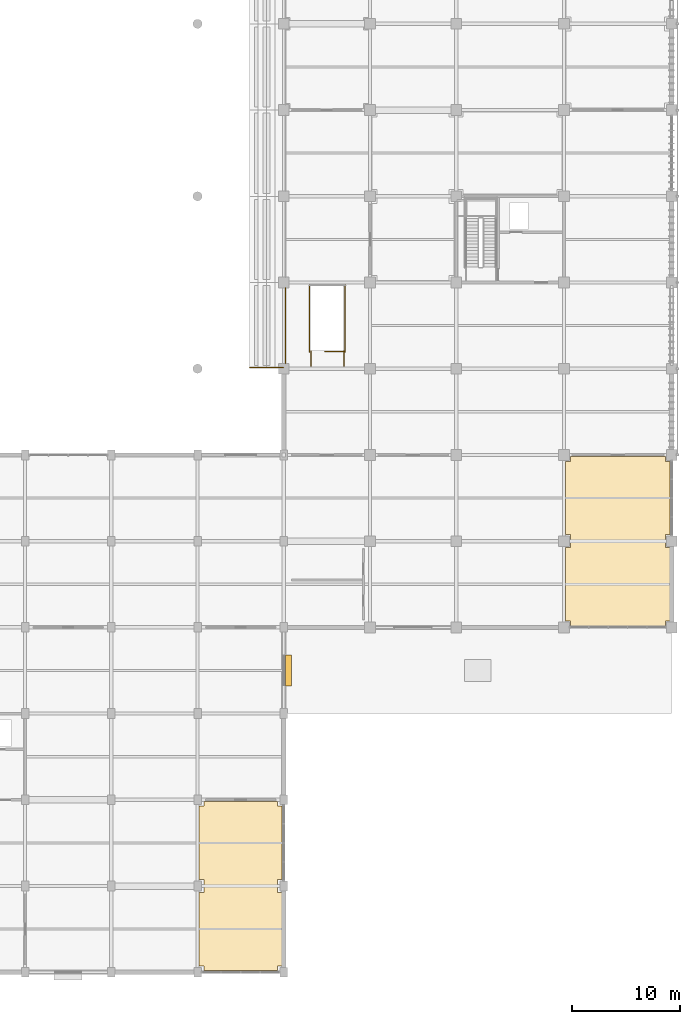
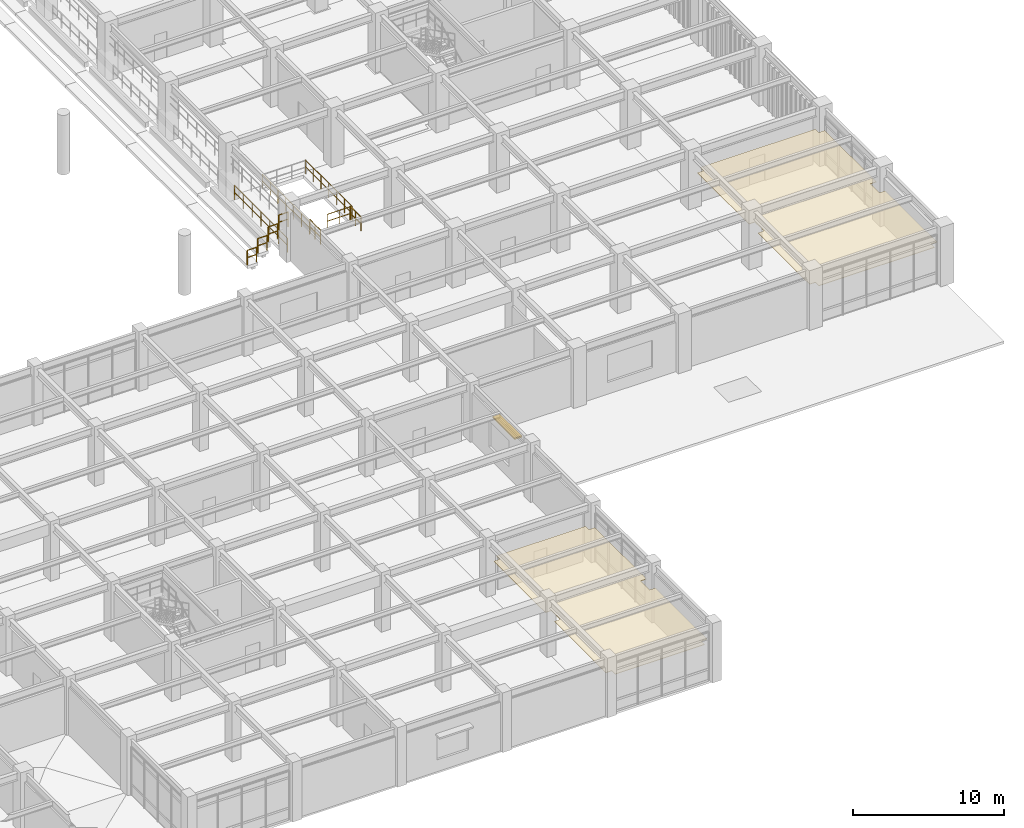
# One storey, part 107 of 117: 10 railings, 2 coverings, 1 shading device.
"""IFC4 building model written with IfcOpenShell, lengths in metres."""

import ifcopenshell
import ifcopenshell.guid

model = None  # the IFC model being written
_history = None  # IfcOwnerHistory: only IFC2X3 demands one
_inside = {}  # id of a spatial element -> (the spatial element, [elements in it])
_under = {}  # id of a project, library or spatial element -> (it, [spatial elements below it])
_declared = {}  # id of a project -> (the project, [libraries it declares])
_typed = {}  # id of a type object -> (the type object, [elements of that type])
_made_of = {}  # id of a material, layer set ... -> (it, [elements and type objects made of it])


def new_model(schema):
    """Start an empty IFC model of exactly this schema.

    Asked for "IFC4X3", IfcOpenShell would pick the latest addendum, in which some entities
    have other attributes; the version numbers below select the first issue.
    IFC2X3 requires an IfcOwnerHistory on every rooted entity: one is made here for all.
    """
    global model, _history
    if schema == "IFC4X3":
        model = ifcopenshell.file(schema_version=(4, 3, 0, 0))
    else:
        model = ifcopenshell.file(schema=schema)
    _inside.clear()
    _under.clear()
    _declared.clear()
    _typed.clear()
    _made_of.clear()
    _history = None
    if model.schema == "IFC2X3":
        org = make("IfcOrganization", Name="unknown")
        user = make(
            "IfcPersonAndOrganization",
            ThePerson=make("IfcPerson", FamilyName="unknown"),
            TheOrganization=org,
        )
        app = make(
            "IfcApplication",
            ApplicationDeveloper=org,
            Version="unknown",
            ApplicationFullName="unknown",
            ApplicationIdentifier="unknown",
        )
        _history = make(
            "IfcOwnerHistory",
            OwningUser=user,
            OwningApplication=app,
            ChangeAction="ADDED",
            CreationDate=0,
        )
    return model


def make(cls, **values):
    """One entity of the class cls with the attributes given. An attribute that is None is left unset."""
    return model.create_entity(
        cls, **{name: value for name, value in values.items() if value is not None}
    )


def rooted(cls, **values):
    """An entity with a GlobalId (a new one), such as an element, a storey or a relation."""
    return make(cls, GlobalId=ifcopenshell.guid.new(), OwnerHistory=_history, **values)


def si_unit(unit_type, name, prefix=None):
    """IfcSIUnit, for example si_unit("LENGTHUNIT", "METRE", prefix="MILLI")."""
    return make("IfcSIUnit", UnitType=unit_type, Prefix=prefix, Name=name)


def assignment(units):
    """IfcUnitAssignment: the units of a project."""
    return None if units is None else make("IfcUnitAssignment", Units=units)


def point(xyz):
    """IfcCartesianPoint."""
    return None if xyz is None else make("IfcCartesianPoint", Coordinates=xyz)


def direction(xyz):
    """IfcDirection."""
    return None if xyz is None else make("IfcDirection", DirectionRatios=xyz)


def frame(location, z_axis=None, x_axis=None):
    """IfcAxis2Placement3D, a coordinate frame: its origin and axes. An axis left out is left unset."""
    return make(
        "IfcAxis2Placement3D",
        Location=point(location),
        Axis=direction(z_axis),
        RefDirection=direction(x_axis),
    )


def frame_2d(location, x_axis=None):
    """IfcAxis2Placement2D, a coordinate frame in the plane: its origin and x axis."""
    return make(
        "IfcAxis2Placement2D", Location=point(location), RefDirection=direction(x_axis)
    )


def origin():
    """The frame at (0, 0, 0) with its axes left unset."""
    return frame((0.0, 0.0, 0.0))


def origin_2d():
    """The frame at (0, 0) in the plane with its x axis left unset."""
    return frame_2d((0.0, 0.0))


def place(relative_to, where):
    """IfcLocalPlacement: puts the frame where relative to a parent placement (None: the world)."""
    return make(
        "IfcLocalPlacement", PlacementRelTo=relative_to, RelativePlacement=where
    )


def context(
    kind, dimensions, precision=None, world=None, true_north=None, identifier=None
):
    """IfcGeometricRepresentationContext, for example the 3D "Model" context."""
    return make(
        "IfcGeometricRepresentationContext",
        ContextIdentifier=identifier,
        ContextType=kind,
        CoordinateSpaceDimension=dimensions,
        Precision=precision,
        WorldCoordinateSystem=world,
        TrueNorth=true_north,
    )


def subcontext(parent, identifier, kind, view, scale=None):
    """IfcGeometricRepresentationSubContext, for example "Body" below "Model"."""
    return make(
        "IfcGeometricRepresentationSubContext",
        ContextIdentifier=identifier,
        ContextType=kind,
        ParentContext=parent,
        TargetScale=scale,
        TargetView=view,
    )


def project(units=None, contexts=None):
    """IfcProject with its units and contexts."""
    return rooted(
        "IfcProject",
        Name="project",
        RepresentationContexts=contexts,
        UnitsInContext=assignment(units),
    )


def spatial(cls, under=None, at=None, **own):
    """A site, building, storey or space (cls), placed at a placement, below another one or the project."""
    s = rooted(cls, ObjectPlacement=at, **own)
    if under is not None:
        _under.setdefault(under.id(), (under, []))[1].append(s)
    return s


def polyline(points):
    """IfcPolyline through the points."""
    return make("IfcPolyline", Points=[point(p) for p in points])


def profile(cls, at=None, kind="AREA", **sizes):
    """A parametric profile (cls). Its sizes go by their IFC names, for example OverallWidth=200.0."""
    return make(cls, ProfileType=kind, Position=at, **sizes)


def rectangle(**sizes):
    """IfcRectangleProfileDef."""
    return profile("IfcRectangleProfileDef", **sizes)


def circle(**sizes):
    """IfcCircleProfileDef."""
    return profile("IfcCircleProfileDef", **sizes)


def outline(outer, holes=None, kind="AREA"):
    """IfcArbitraryClosedProfileDef: a profile drawn as a closed curve; with holes, ...WithVoids."""
    if holes is None:
        return make("IfcArbitraryClosedProfileDef", ProfileType=kind, OuterCurve=outer)
    return make(
        "IfcArbitraryProfileDefWithVoids",
        ProfileType=kind,
        OuterCurve=outer,
        InnerCurves=holes,
    )


def extrude(swept, where, along, depth):
    """IfcExtrudedAreaSolid: the profile swept, set in the frame where, extruded along a direction by depth."""
    return make(
        "IfcExtrudedAreaSolid",
        SweptArea=swept,
        Position=where,
        ExtrudedDirection=direction(along),
        Depth=depth,
    )


def shape(context_of_items, identifier, shape_type, items):
    """IfcShapeRepresentation: the items that make up one representation, for example the "Body"."""
    return make(
        "IfcShapeRepresentation",
        ContextOfItems=context_of_items,
        RepresentationIdentifier=identifier,
        RepresentationType=shape_type,
        Items=items,
    )


def material(Name=None, Category=None):
    """IfcMaterial."""
    return make("IfcMaterial", Name=Name, Category=Category)


def layer(
    of_material, thickness, ventilated=None, Name=None, Category=None, Priority=None
):
    """IfcMaterialLayer: one layer of a wall or slab, of a material (None: an air gap)."""
    return make(
        "IfcMaterialLayer",
        Material=of_material,
        LayerThickness=thickness,
        IsVentilated=ventilated,
        Name=Name,
        Category=Category,
        Priority=Priority,
    )


def layer_set(layers, Name=None):
    """IfcMaterialLayerSet."""
    return make("IfcMaterialLayerSet", MaterialLayers=layers, LayerSetName=Name)


def made_of(thing, what):
    """Note that an element or type object is made of a material, layer set ...; save() writes the relation."""
    if what is not None:
        _made_of.setdefault(what.id(), (what, []))[1].append(thing)
    return thing


def type_object(cls, material=None, **own):
    """A type object (cls), such as IfcWallType, which elements share."""
    return made_of(rooted(cls, **own), material)


def element(
    cls,
    number,
    at=None,
    inside=None,
    cuts=None,
    type_object=None,
    material=None,
    context=None,
    identifier="Body",
    shape_type=None,
    held_by="IfcProductDefinitionShape",
    body=None,
    shapes=None,
    **own,
):
    """One element of the class cls, such as IfcWall. Its Tag is "e" and its number.

    at: its placement. inside: the storey or other place that contains it. cuts: it is an
    opening in that element (IfcRelVoidsElement). A single representation is given by context,
    identifier, shape_type and body (its items); several are given by shapes. held_by: the class
    of the entity that holds the representations. save() writes the other relations.
    """
    e = rooted(cls, Tag="e%d" % number, ObjectPlacement=at, **own)
    if body is not None:
        shapes = [shape(context, identifier, shape_type, body)]
    if shapes is not None:
        e.Representation = make(held_by, Representations=shapes)
    if inside is not None:
        _inside.setdefault(inside.id(), (inside, []))[1].append(e)
    if cuts is not None:
        rooted(
            "IfcRelVoidsElement", RelatingBuildingElement=cuts, RelatedOpeningElement=e
        )
    if type_object is not None:
        _typed.setdefault(type_object.id(), (type_object, []))[1].append(e)
    return made_of(e, material)


def aggregate(whole, parts):
    """IfcRelAggregates: a whole, such as a stair, and the parts it consists of."""
    return rooted("IfcRelAggregates", RelatingObject=whole, RelatedObjects=parts)


def save(model, path):
    """Write the relations noted so far, then the file.

    IfcRelAggregates (storeys below a building ...), IfcRelContainedInSpatialStructure (elements
    in a storey), IfcRelDefinesByType, IfcRelAssociatesMaterial and IfcRelDeclares: one each for
    every whole, place, type object, material and project.
    """
    for whole, parts in _under.values():
        aggregate(whole, parts)
    for where, things in _inside.values():
        rooted(
            "IfcRelContainedInSpatialStructure",
            RelatedElements=things,
            RelatingStructure=where,
        )
    for kind, things in _typed.values():
        rooted("IfcRelDefinesByType", RelatedObjects=things, RelatingType=kind)
    for what, things in _made_of.values():
        rooted("IfcRelAssociatesMaterial", RelatedObjects=things, RelatingMaterial=what)
    for by, libraries in _declared.values():
        rooted("IfcRelDeclares", RelatingContext=by, RelatedDefinitions=libraries)
    model.write(path)


model = new_model("IFC4")

# Units and contexts
model_context = context("Model", 3, precision=1e-05, world=origin(), true_north=direction((0.0, 1.0)))
body_context = subcontext(model_context, "Body", "Model", "MODEL_VIEW")
ifc_project = project(units=[si_unit("LENGTHUNIT", "METRE"), si_unit("AREAUNIT", "SQUARE_METRE"), si_unit("VOLUMEUNIT", "CUBIC_METRE"), si_unit("PLANEANGLEUNIT", "RADIAN"), si_unit("MASSUNIT", "GRAM", prefix="KILO")], contexts=[model_context])

# Site, building, storey
site_placement = place(None, origin())
site = spatial("IfcSite", under=ifc_project, at=site_placement, CompositionType="ELEMENT")
building_placement = place(site_placement, origin())
building = spatial("IfcBuilding", under=site, at=building_placement, Name="Haebicheon Civic Stadium", CompositionType="ELEMENT")
storey_placement = place(building_placement, frame((0.0, 0.0, 4.800048828125)))
storey = spatial("IfcBuildingStorey", under=building, at=storey_placement, Name="L02", CompositionType="ELEMENT", Elevation=4.800048828125)

# Coverings
ifc_material_1 = material(Name="Perforated mineral-fibre acoustic board", Category="gypsum")
ifc_layer_1 = layer(ifc_material_1, 0.0400390625, Name="Perforated mineral-fibre acoustic board")
ifc_layer_set_1 = layer_set([ifc_layer_1], Name="Perforated mineral-fibre acoustic board")
covering_type = type_object("IfcCoveringType", Name="COV-CLG-AC", PredefinedType="CEILING", material=ifc_layer_set_1)
covering_1_placement = place(storey_placement, frame((0.0, 0.0, 2.81005859375)))
element("IfcCovering", 1, at=covering_1_placement, inside=storey, type_object=covering_type, material=ifc_layer_set_1, Name="L02 Community Stand Concourse acoustic ceiling", PredefinedType="CEILING", context=body_context, shape_type="SweptSolid", body=[
    extrude(outline(polyline([(226.594970703125, 32.14501953125), (226.594970703125, 32.594970703125), (226.14501953125, 32.594970703125), (226.14501953125, 39.405029296875), (226.594970703125, 39.405029296875), (226.594970703125, 40.594970703125), (226.14501953125, 40.594970703125), (226.14501953125, 47.405029296875), (226.594970703125, 47.405029296875), (226.594970703125, 47.85498046875), (235.405029296875, 47.85498046875), (235.405029296875, 47.405029296875), (235.85498046875, 47.405029296875), (235.85498046875, 40.594970703125), (235.405029296875, 40.594970703125), (235.405029296875, 39.405029296875), (235.85498046875, 39.405029296875), (235.85498046875, 32.594970703125), (235.405029296875, 32.594970703125), (235.405029296875, 32.14501953125), (226.594970703125, 32.14501953125)])), origin(), (0.0, 0.0, 1.0), 0.039794921875),
])
covering_2_placement = place(storey_placement, frame((0.0, 0.0, 2.81005859375)))
element("IfcCovering", 2, at=covering_2_placement, inside=storey, type_object=covering_type, material=ifc_layer_set_1, Name="L02 Sports Heritage Reading Room acoustic ceiling", PredefinedType="CEILING", context=body_context, shape_type="SweptSolid", body=[
    extrude(outline(polyline([(192.594970703125, 0.14501953125), (192.594970703125, 0.594970703125), (192.14501953125, 0.594970703125), (192.14501953125, 7.405029296875), (192.594970703125, 7.405029296875), (192.594970703125, 8.594970703125), (192.14501953125, 8.594970703125), (192.14501953125, 15.405029296875), (192.594970703125, 15.405029296875), (192.594970703125, 15.85498046875), (199.405029296875, 15.85498046875), (199.405029296875, 15.405029296875), (199.85498046875, 15.405029296875), (199.85498046875, 8.594970703125), (199.405029296875, 8.594970703125), (199.405029296875, 7.405029296875), (199.85498046875, 7.405029296875), (199.85498046875, 0.594970703125), (199.405029296875, 0.594970703125), (199.405029296875, 0.14501953125), (192.594970703125, 0.14501953125)])), origin(), (0.0, 0.0, 1.0), 0.039794921875),
])

# Railings
ifc_material_2 = material(Name="Stainless steel 316 and laminated glass", Category="steel")
railing_type_1 = type_object("IfcRailingType", Name="RL-BAL-1200", PredefinedType="BALUSTRADE", material=ifc_material_2)
railing_1_placement = place(storey_placement, frame((200.139892578125, 56.5, 0.0)))
element("IfcRailing", 3, at=railing_1_placement, inside=storey, type_object=railing_type_1, material=ifc_material_2, Name="L02 concourse bowl-edge balustrade 033", PredefinedType="BALUSTRADE", context=body_context, shape_type="SweptSolid", body=[
    extrude(circle(Radius=0.02392578125, at=origin_2d()), frame((0.0, 0.0, 1.17578125), z_axis=(0.0, 1.0, 0.0), x_axis=(-1.0, 0.0, 0.0)), (0.0, 0.0, 1.0), 7.0),
    extrude(circle(Radius=0.02392578125, at=origin_2d()), frame((0.0, 0.0, 0.60009765625), z_axis=(0.0, 1.0, 0.0), x_axis=(-1.0, 0.0, 0.0)), (0.0, 0.0, 1.0), 7.0),
    extrude(circle(Radius=0.02099609375, at=origin_2d()), origin(), (0.0, 0.0, 1.0), 1.15185546875),
    extrude(circle(Radius=0.02099609375, at=origin_2d()), frame((0.0, 1.166748046875, 0.0)), (0.0, 0.0, 1.0), 1.15185546875),
    extrude(circle(Radius=0.02099609375, at=origin_2d()), frame((0.0, 2.333251953125, 0.0)), (0.0, 0.0, 1.0), 1.15185546875),
    extrude(circle(Radius=0.02099609375, at=origin_2d()), frame((0.0, 3.5, 0.0)), (0.0, 0.0, 1.0), 1.15185546875),
    extrude(circle(Radius=0.02099609375, at=origin_2d()), frame((0.0, 4.666748046875, 0.0)), (0.0, 0.0, 1.0), 1.15185546875),
    extrude(circle(Radius=0.02099609375, at=origin_2d()), frame((0.0, 5.833251953125, 0.0)), (0.0, 0.0, 1.0), 1.15185546875),
    extrude(circle(Radius=0.02099609375, at=origin_2d()), frame((0.0, 7.0, 0.0)), (0.0, 0.0, 1.0), 1.15185546875),
])
railing_2_placement = place(storey_placement, frame((196.840087890625, 56.10009765625, 0.39990234375)))
element("IfcRailing", 4, at=railing_2_placement, inside=storey, type_object=railing_type_1, material=ifc_material_2, Name="TIER-C-L end-aisle side guard S.7", PredefinedType="BALUSTRADE", context=body_context, shape_type="SweptSolid", body=[
    extrude(circle(Radius=0.02392578125, at=origin_2d()), frame((0.0, 0.0, 1.17578125), z_axis=(1.0, 0.0, 0.0), x_axis=(0.0, 1.0, 0.0)), (0.0, 0.0, 1.0), 0.719970703125),
    extrude(circle(Radius=0.02392578125, at=origin_2d()), frame((0.0, 0.0, 0.60009765625), z_axis=(1.0, 0.0, 0.0), x_axis=(0.0, 1.0, 0.0)), (0.0, 0.0, 1.0), 0.719970703125),
    extrude(circle(Radius=0.02099609375, at=origin_2d()), origin(), (0.0, 0.0, 1.0), 1.15185546875),
    extrude(circle(Radius=0.02099609375, at=origin_2d()), frame((0.719970703125, 0.0, 0.0)), (0.0, 0.0, 1.0), 1.15185546875),
])
railing_3_placement = place(storey_placement, frame((197.639892578125, 56.10009765625, 1.06689453125)))
element("IfcRailing", 5, at=railing_3_placement, inside=storey, type_object=railing_type_1, material=ifc_material_2, Name="TIER-C-L end-aisle side guard S.8", PredefinedType="BALUSTRADE", context=body_context, shape_type="SweptSolid", body=[
    extrude(circle(Radius=0.02392578125, at=origin_2d()), frame((0.0, 0.0, 1.17578125), z_axis=(1.0, 0.0, 0.0), x_axis=(0.0, 1.0, 0.0)), (0.0, 0.0, 1.0), 0.72021484375),
    extrude(circle(Radius=0.02392578125, at=origin_2d()), frame((0.0, 0.0, 0.60009765625), z_axis=(1.0, 0.0, 0.0), x_axis=(0.0, 1.0, 0.0)), (0.0, 0.0, 1.0), 0.72021484375),
    extrude(circle(Radius=0.02099609375, at=origin_2d()), origin(), (0.0, 0.0, 1.0), 1.15185546875),
    extrude(circle(Radius=0.02099609375, at=origin_2d()), frame((0.72021484375, 0.0, 0.0)), (0.0, 0.0, 1.0), 1.15185546875),
])
for number, where, name in (
    (6, (198.43994140625, 56.10009765625, 1.73291015625), "TIER-C-L end-aisle side guard S.9"),
    (7, (199.239990234375, 56.10009765625, 2.39990234375), "TIER-C-L end-aisle side guard S.10"),
):
    element("IfcRailing", number, at=place(storey_placement, frame(where)), inside=storey, type_object=railing_type_1, material=ifc_material_2, Name=name, PredefinedType="BALUSTRADE", context=body_context, shape_type="SweptSolid", body=[
        extrude(circle(Radius=0.02392578125, at=origin_2d()), frame((0.0, 0.0, 1.17578125), z_axis=(1.0, 0.0, 0.0), x_axis=(0.0, 1.0, 0.0)), (0.0, 0.0, 1.0), 0.719970703125),
        extrude(circle(Radius=0.02392578125, at=origin_2d()), frame((0.0, 0.0, 0.60009765625), z_axis=(1.0, 0.0, 0.0), x_axis=(0.0, 1.0, 0.0)), (0.0, 0.0, 1.0), 0.719970703125),
        extrude(circle(Radius=0.02099609375, at=origin_2d()), origin(), (0.0, 0.0, 1.0), 1.15185546875),
        extrude(circle(Radius=0.02099609375, at=origin_2d()), frame((0.719970703125, 0.0, 0.0)), (0.0, 0.0, 1.0), 1.15185546875),
    ])
ifc_material_3 = material(Name="Galvanised painted steel SM355", Category="steel")
railing_type_2 = type_object("IfcRailingType", Name="RL-GRD-1150", PredefinedType="GUARDRAIL", material=ifc_material_3)
railing_4_placement = place(storey_placement, frame((205.639892578125, 57.60009765625, 0.0)))
element("IfcRailing", 8, at=railing_4_placement, inside=storey, type_object=railing_type_2, material=ifc_material_3, Name="L02 VM-11 top well guard 1", PredefinedType="GUARDRAIL", context=body_context, shape_type="SweptSolid", body=[
    extrude(circle(Radius=0.02392578125, at=origin_2d()), frame((0.0, 0.0, 1.1259765625), z_axis=(-1.0, 0.0, 0.0), x_axis=(0.0, -1.0, 0.0)), (0.0, 0.0, 1.0), 1.81982421875),
    extrude(circle(Radius=0.02392578125, at=origin_2d()), frame((0.0, 0.0, 0.574951171875), z_axis=(-1.0, 0.0, 0.0), x_axis=(0.0, -1.0, 0.0)), (0.0, 0.0, 1.0), 1.81982421875),
    extrude(circle(Radius=0.02099609375, at=origin_2d()), origin(), (0.0, 0.0, 1.0), 1.101806640625),
    extrude(circle(Radius=0.02099609375, at=origin_2d()), frame((-0.909912109375, 0.0, 0.0)), (0.0, 0.0, 1.0), 1.101806640625),
    extrude(circle(Radius=0.02099609375, at=origin_2d()), frame((-1.81982421875, 0.0, 0.0)), (0.0, 0.0, 1.0), 1.101806640625),
])
for number, where, name in (
    (9, (205.68994140625, 57.550048828125, 0.0), "L02 VM-11 top well guard 2"),
    (10, (202.409912109375, 57.550048828125, 0.0), "L02 VM-11 top well guard 3"),
):
    element("IfcRailing", number, at=place(storey_placement, frame(where)), inside=storey, type_object=railing_type_2, material=ifc_material_3, Name=name, PredefinedType="GUARDRAIL", context=body_context, shape_type="SweptSolid", body=[
        extrude(circle(Radius=0.02392578125, at=origin_2d()), frame((0.0, 0.0, 1.1259765625), z_axis=(0.0, 1.0, 0.0), x_axis=(-1.0, 0.0, 0.0)), (0.0, 0.0, 1.0), 6.199951171875),
        extrude(circle(Radius=0.02392578125, at=origin_2d()), frame((0.0, 0.0, 0.574951171875), z_axis=(0.0, 1.0, 0.0), x_axis=(-1.0, 0.0, 0.0)), (0.0, 0.0, 1.0), 6.199951171875),
        extrude(circle(Radius=0.02099609375, at=origin_2d()), origin(), (0.0, 0.0, 1.0), 1.101806640625),
        extrude(circle(Radius=0.02099609375, at=origin_2d()), frame((0.0, 1.033203125, 0.0)), (0.0, 0.0, 1.0), 1.101806640625),
        extrude(circle(Radius=0.02099609375, at=origin_2d()), frame((0.0, 2.066650390625, 0.0)), (0.0, 0.0, 1.0), 1.101806640625),
        extrude(circle(Radius=0.02099609375, at=origin_2d()), frame((0.0, 3.10009765625, 0.0)), (0.0, 0.0, 1.0), 1.101806640625),
        extrude(circle(Radius=0.02099609375, at=origin_2d()), frame((0.0, 4.13330078125, 0.0)), (0.0, 0.0, 1.0), 1.101806640625),
        extrude(circle(Radius=0.02099609375, at=origin_2d()), frame((0.0, 5.16650390625, 0.0)), (0.0, 0.0, 1.0), 1.101806640625),
        extrude(circle(Radius=0.02099609375, at=origin_2d()), frame((0.0, 6.199951171875, 0.0)), (0.0, 0.0, 1.0), 1.101806640625),
    ])
for number, where, name in (
    (11, (205.590087890625, 56.25, 0.0), "L02 VM-11 top well guard 5"),
    (12, (202.510009765625, 56.25, 0.0), "L02 VM-11 top well guard 6"),
):
    element("IfcRailing", number, at=place(storey_placement, frame(where)), inside=storey, type_object=railing_type_2, material=ifc_material_3, Name=name, PredefinedType="GUARDRAIL", context=body_context, shape_type="SweptSolid", body=[
        extrude(circle(Radius=0.02392578125, at=origin_2d()), frame((0.0, 0.0, 1.1259765625), z_axis=(0.0, 1.0, 0.0), x_axis=(-1.0, 0.0, 0.0)), (0.0, 0.0, 1.0), 1.39990234375),
        extrude(circle(Radius=0.02392578125, at=origin_2d()), frame((0.0, 0.0, 0.574951171875), z_axis=(0.0, 1.0, 0.0), x_axis=(-1.0, 0.0, 0.0)), (0.0, 0.0, 1.0), 1.39990234375),
        extrude(circle(Radius=0.02099609375, at=origin_2d()), origin(), (0.0, 0.0, 1.0), 1.101806640625),
        extrude(circle(Radius=0.02099609375, at=origin_2d()), frame((0.0, 0.699951171875, 0.0)), (0.0, 0.0, 1.0), 1.101806640625),
        extrude(circle(Radius=0.02099609375, at=origin_2d()), frame((0.0, 1.39990234375, 0.0)), (0.0, 0.0, 1.0), 1.101806640625),
    ])

# Shading device
ifc_material_4 = material(Name="Anodised aluminium 6063-T6", Category="aluminium")
ifc_layer_2 = layer(ifc_material_4, 0.1201171875, Name="Anodised aluminium 6063-T6")
ifc_layer_set_2 = layer_set([ifc_layer_2], Name="Anodised aluminium 6063-T6")
shading_device_type = type_object("IfcShadingDeviceType", Name="SHD-ALU-LVR", PredefinedType="USERDEFINED", material=ifc_layer_set_2)
shading_device_placement = place(storey_placement, frame((200.445068359375, 28.0, 3.06982421875), z_axis=(0.0, 0.0, 1.0), x_axis=(1.0, 0.0, 0.0)))
element("IfcShadingDevice", 13, at=shading_device_placement, inside=storey, type_object=shading_device_type, material=ifc_layer_set_2, Name="L02 window sunshade louvre hood 23", ObjectType="LOUVRE", PredefinedType="USERDEFINED", context=body_context, shape_type="SweptSolid", body=[
    extrude(rectangle(XDim=0.550048828125, YDim=2.89990234375, at=origin_2d()), origin(), (0.0, 0.0, 1.0), 0.1201171875),
])

save(model, "model.ifc")
